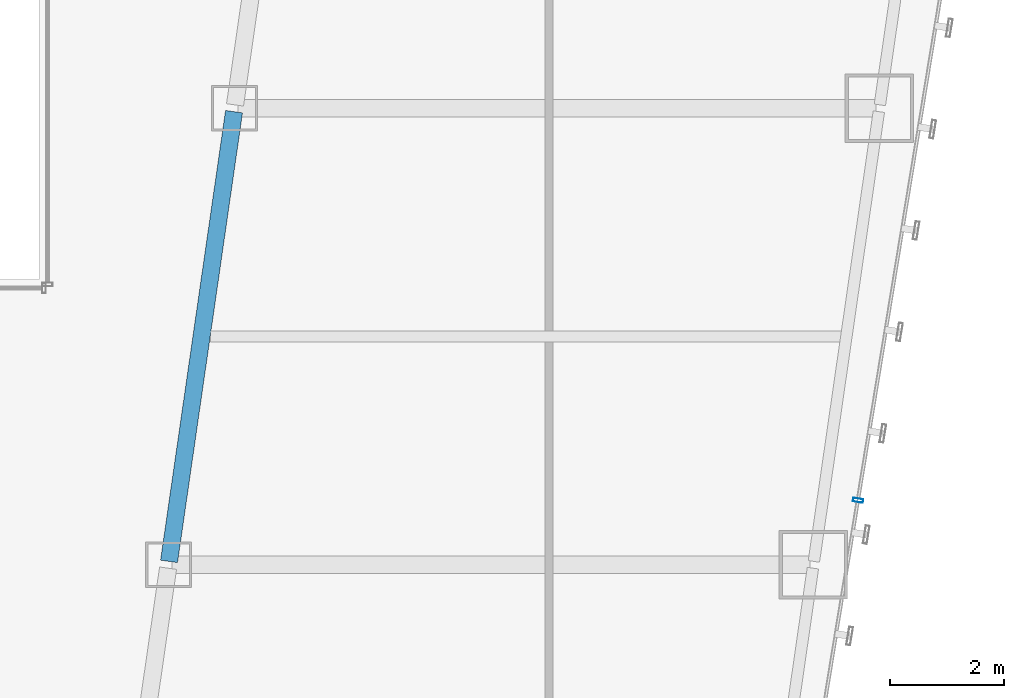
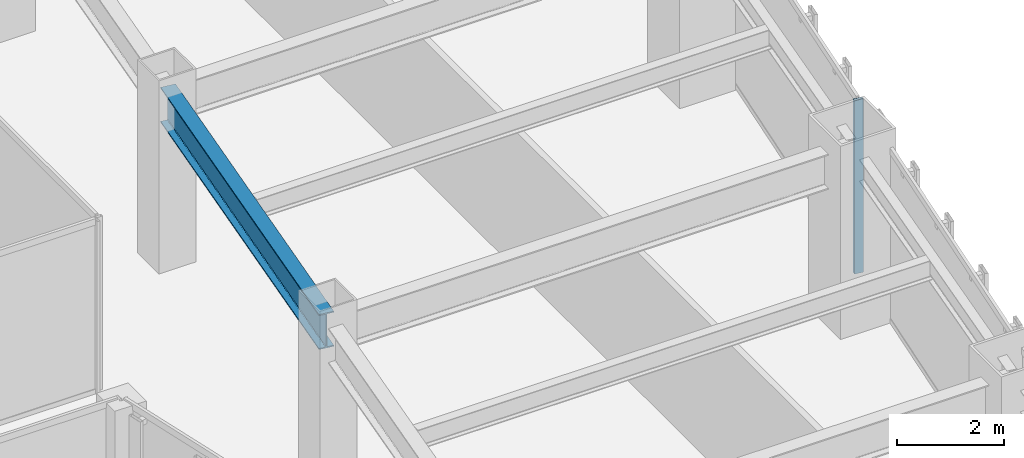
# One storey, part 17 of 47: 1 beam, 1 member, 1 element without a shape of its own.
"""IFC4 building model written with IfcOpenShell, lengths in metres."""

from ifc_helpers import new_model, si_unit, direction, frame, origin, origin_2d, place, context, subcontext, project, spatial, hollow_rectangle, i_section, extrude, material, material_profile, profile_set, type_object, element, aggregate, save


model = new_model("IFC4")

# Units and contexts
model_context = context("Model", 3, precision=1e-05, world=origin(), true_north=direction((0.0, 1.0)))
body_context = subcontext(model_context, "Body", "Model", "MODEL_VIEW")
ifc_project = project(units=[si_unit("LENGTHUNIT", "METRE"), si_unit("AREAUNIT", "SQUARE_METRE"), si_unit("VOLUMEUNIT", "CUBIC_METRE"), si_unit("PLANEANGLEUNIT", "RADIAN"), si_unit("MASSUNIT", "GRAM", prefix="KILO")], contexts=[model_context])

# Site, building, storey
site_placement = place(None, origin())
site = spatial("IfcSite", under=ifc_project, at=site_placement, CompositionType="ELEMENT")
building_placement = place(site_placement, origin())
building = spatial("IfcBuilding", under=site, at=building_placement, Name="Saevonmaru Cultural Tower", CompositionType="ELEMENT")
storey_placement = place(building_placement, frame((0.0, 0.0, 82.39990234375)))
storey = spatial("IfcBuildingStorey", under=building, at=storey_placement, Name="L17", CompositionType="ELEMENT", Elevation=82.39990234375)

# Beam
ifc_material_1 = material(Name="Steel SM420", Category="steel")
ifc_material_profile_1 = material_profile(ifc_material_1, i_section(OverallWidth=0.300048828125, OverallDepth=0.800048828125, WebThickness=0.013916015625, FlangeThickness=0.02587890625, FilletRadius=0.028076171875, at=origin_2d()), Name="H-800x300x14x26")
ifc_profile_set_1 = profile_set([ifc_material_profile_1], Name="Steel SM420")
beam_type = type_object("IfcBeamType", Name="BM-G-H800", PredefinedType="BEAM", material=ifc_profile_set_1)
beam_placement = place(storey_placement, frame((38.08056640625, 16.059326171875, 3.550048828125), z_axis=(0.143022161059, 0.989719486241, 0.0), x_axis=(-0.989719486241, 0.143022161059, 0.0)))
element("IfcBeam", 1, at=beam_placement, inside=storey, type_object=beam_type, Name="L17 East Atrium Girder 3", PredefinedType="BEAM", context=body_context, shape_type="SweptSolid", body=[
    extrude(i_section(OverallWidth=0.300048828125, OverallDepth=0.800048828125, WebThickness=0.013916015625, FlangeThickness=0.02587890625, FilletRadius=0.028076171875, at=origin_2d()), origin(), (0.0, 0.0, 1.0), 7.963134765625),
])

# Curtain wall, member
ifc_material_2 = material(Name="Satin Bronze Anodised Aluminium", Category="aluminium")
curtain_wall_type = type_object("IfcCurtainWallType", Name="CW-TYP-A", PredefinedType="NOTDEFINED", material=ifc_material_2)
curtain_wall_placement = place(storey_placement, origin())
curtain_wall = element("IfcCurtainWall", 2, at=curtain_wall_placement, inside=storey, type_object=curtain_wall_type, Name="L17 Unitised Curtain Wall E8", PredefinedType="NOTDEFINED")
ifc_material_profile_2 = material_profile(ifc_material_2, hollow_rectangle(XDim=0.06494140625, YDim=0.179931640625, WallThickness=0.00390625, at=origin_2d()), Name="ALU-MULL-180x65x4")
ifc_profile_set_2 = profile_set([ifc_material_profile_2], Name="Satin Bronze Anodised Aluminium")
member_type = type_object("IfcMemberType", Name="ML-CW-180x65", PredefinedType="MULLION", material=ifc_profile_set_2)
member_placement = place(storey_placement, frame((50.15478515625, 17.129638671875, 0.0), z_axis=(0.0, 0.0, 1.0), x_axis=(0.161708868641, 0.986838508472, 0.0)))
member = element("IfcMember", 3, at=member_placement, type_object=member_type, Name="CW-TW-L17-E8 mullion 2", PredefinedType="MULLION", context=body_context, shape_type="SweptSolid", body=[
    extrude(hollow_rectangle(XDim=0.06494140625, YDim=0.179931640625, WallThickness=0.00390625, at=origin_2d()), origin(), (0.0, 0.0, 1.0), 3.9501953125),
])
aggregate(curtain_wall, [member])

save(model, "model.ifc")
